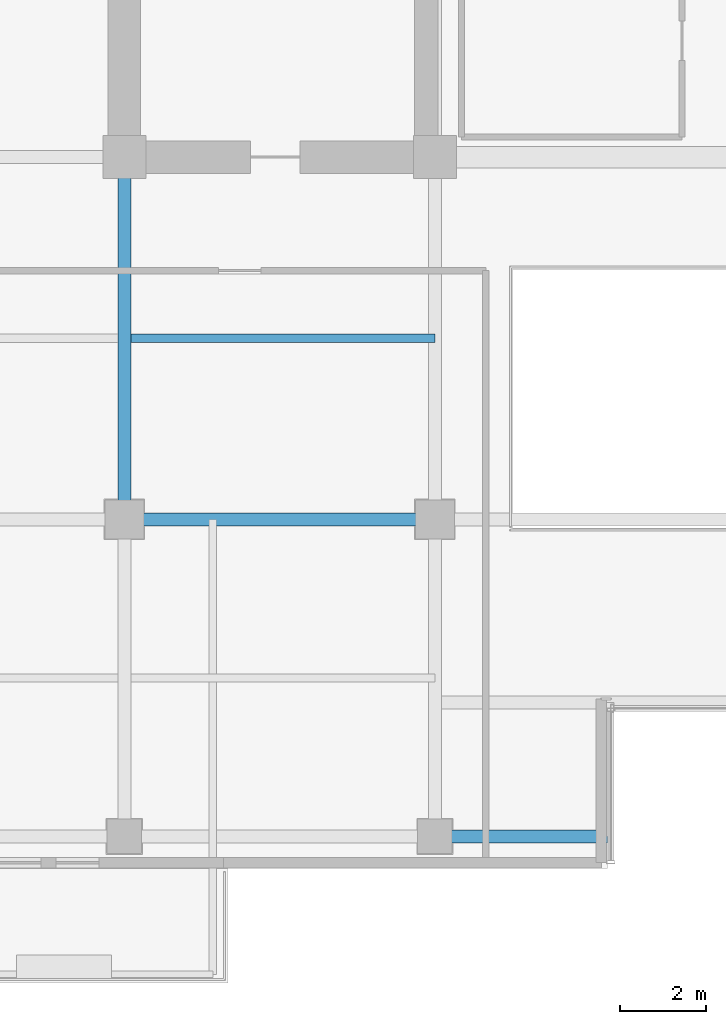
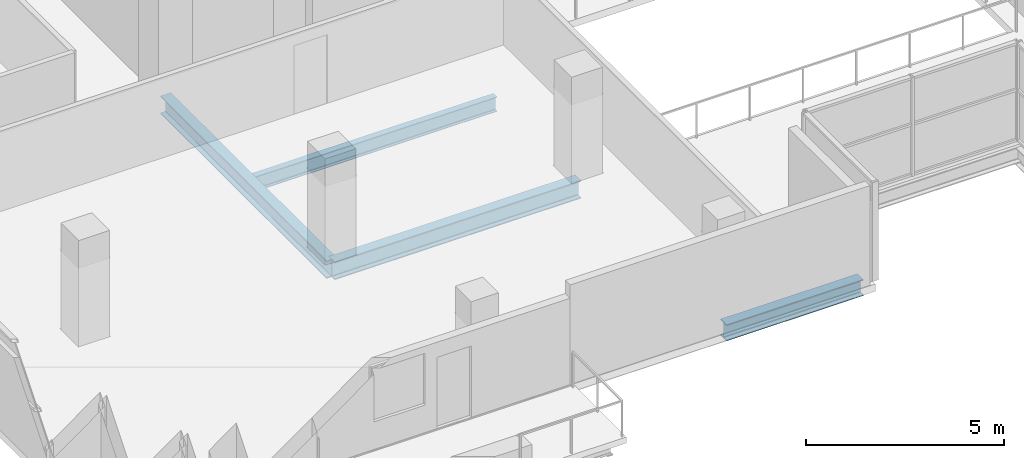
# One storey, part 5 of 25: 4 beams.
"""IFC4 building model written with IfcOpenShell, lengths in metres."""

from ifc_helpers import new_model, si_unit, direction, frame, origin, origin_2d, place, context, subcontext, project, spatial, i_section, extrude, material, material_profile, profile_set, type_object, element, save


model = new_model("IFC4")

# Units and contexts
model_context = context("Model", 3, precision=1e-05, world=origin(), true_north=direction((0.0, 1.0)))
body_context = subcontext(model_context, "Body", "Model", "MODEL_VIEW")
ifc_project = project(units=[si_unit("LENGTHUNIT", "METRE"), si_unit("AREAUNIT", "SQUARE_METRE"), si_unit("VOLUMEUNIT", "CUBIC_METRE"), si_unit("PLANEANGLEUNIT", "RADIAN"), si_unit("MASSUNIT", "GRAM", prefix="KILO")], contexts=[model_context])

# Site, building, storey
site_placement = place(None, origin())
site = spatial("IfcSite", under=ifc_project, at=site_placement, CompositionType="ELEMENT")
building_placement = place(site_placement, origin())
building = spatial("IfcBuilding", under=site, at=building_placement, Name="Zarnakvel Exchange Tower", CompositionType="ELEMENT")
storey_placement = place(building_placement, frame((0.0, 0.0, 126.39990234375)))
storey = spatial("IfcBuildingStorey", under=building, at=storey_placement, Name="L35", CompositionType="ELEMENT", Elevation=126.39990234375)

# Beams
ifc_material = material(Name="Steel S355", Category="steel")
ifc_material_profile_1 = material_profile(ifc_material, i_section(OverallWidth=0.18994140625, OverallDepth=0.449951171875, WebThickness=0.009521484375, FlangeThickness=0.0146484375, FilletRadius=0.02099609375, at=origin_2d()))
ifc_profile_set_1 = profile_set([ifc_material_profile_1], Name="Steel S355")
beam_type_1 = type_object("IfcBeamType", Name="B-05", PredefinedType="JOIST", material=ifc_profile_set_1)
beam_1_placement = place(storey_placement, frame((-14.25, -5.39990234375, -0.449951171875), z_axis=(1.0, 0.0, 0.0), x_axis=(0.0, 1.0, 0.0)))
element("IfcBeam", 1, at=beam_1_placement, inside=storey, type_object=beam_type_1, Name="L35 Composite Floor Secondary Joist", PredefinedType="JOIST", context=body_context, shape_type="SweptSolid", body=[
    extrude(i_section(OverallWidth=0.18994140625, OverallDepth=0.449951171875, WebThickness=0.009521484375, FlangeThickness=0.0146484375, FilletRadius=0.02099609375, at=origin_2d()), origin(), (0.0, 0.0, 1.0), 7.050048828125),
])
ifc_material_profile_2 = material_profile(ifc_material, i_section(OverallWidth=0.300048828125, OverallDepth=0.550048828125, WebThickness=0.014892578125, FlangeThickness=0.029052734375, FilletRadius=0.027099609375, at=origin_2d()))
ifc_profile_set_2 = profile_set([ifc_material_profile_2], Name="Steel S355")
beam_type_2 = type_object("IfcBeamType", Name="G-05", PredefinedType="BEAM", material=ifc_profile_set_2)
beam_2_placement = place(storey_placement, frame((-14.39990234375, -9.60009765625, -0.5), z_axis=(1.0, 0.0, 0.0), x_axis=(0.0, 1.0, 0.0)))
element("IfcBeam", 2, at=beam_2_placement, inside=storey, type_object=beam_type_2, Name="L35 Tower E-W Frame Beam", PredefinedType="BEAM", context=body_context, shape_type="SweptSolid", body=[
    extrude(i_section(OverallWidth=0.300048828125, OverallDepth=0.550048828125, WebThickness=0.014892578125, FlangeThickness=0.029052734375, FilletRadius=0.027099609375, at=origin_2d()), origin(), (0.0, 0.0, 1.0), 7.199951171875),
])
beam_3_placement = place(storey_placement, frame((-14.39990234375, -9.60009765625, -0.5), z_axis=(0.0, 1.0, 0.0), x_axis=(-1.0, 0.0, 0.0)))
element("IfcBeam", 3, at=beam_3_placement, inside=storey, type_object=beam_type_2, Name="L35 Tower N-S Frame Beam", PredefinedType="BEAM", context=body_context, shape_type="SweptSolid", body=[
    extrude(i_section(OverallWidth=0.300048828125, OverallDepth=0.550048828125, WebThickness=0.014892578125, FlangeThickness=0.029052734375, FilletRadius=0.027099609375, at=origin_2d()), origin(), (0.0, 0.0, 1.0), 8.400146484375),
])
ifc_material_profile_3 = material_profile(ifc_material, i_section(OverallWidth=0.300048828125, OverallDepth=0.5, WebThickness=0.014404296875, FlangeThickness=0.028076171875, FilletRadius=0.027099609375, at=origin_2d()))
ifc_profile_set_3 = profile_set([ifc_material_profile_3], Name="Steel S355")
beam_type_3 = type_object("IfcBeamType", Name="SP-02", PredefinedType="SPANDREL", material=ifc_profile_set_3)
beam_4_placement = place(storey_placement, frame((-7.199951171875, -16.949951171875, -0.474853515625), z_axis=(1.0, 0.0, 0.0), x_axis=(0.0, 1.0, 0.0)))
element("IfcBeam", 4, at=beam_4_placement, inside=storey, type_object=beam_type_3, Name="L35 South Slot West Jamb Spandrel", PredefinedType="SPANDREL", context=body_context, shape_type="SweptSolid", body=[
    extrude(i_section(OverallWidth=0.300048828125, OverallDepth=0.5, WebThickness=0.014404296875, FlangeThickness=0.028076171875, FilletRadius=0.027099609375, at=origin_2d()), origin(), (0.0, 0.0, 1.0), 4.0),
])

save(model, "model.ifc")
